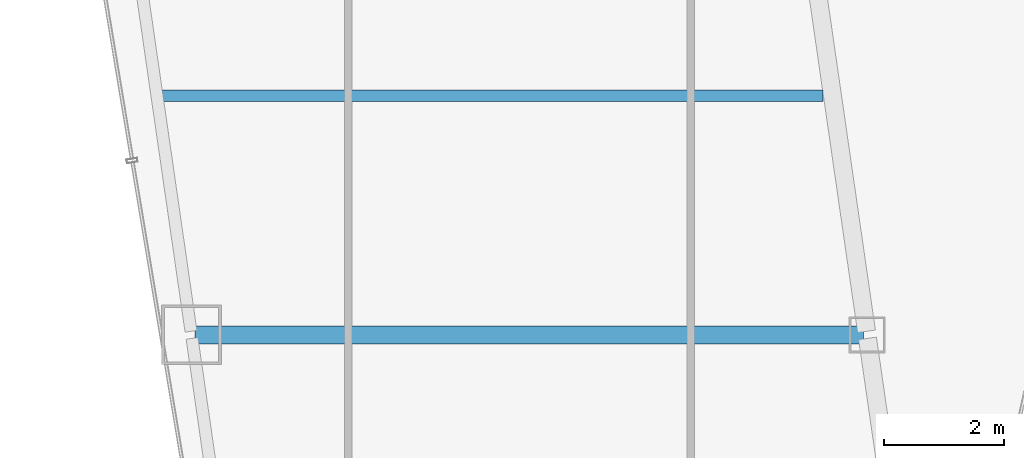
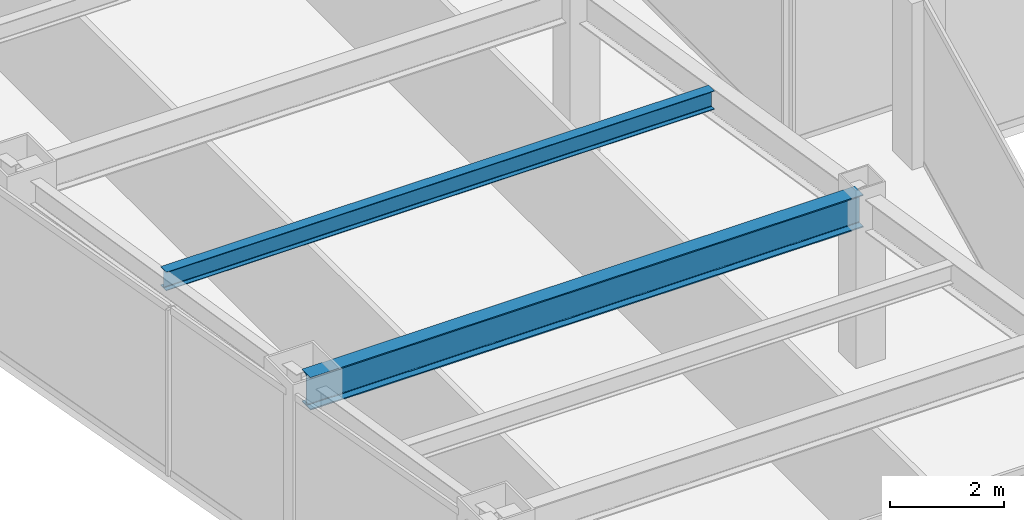
# One storey, part 5 of 40: 2 beams.
"""IFC4 building model written with IfcOpenShell, lengths in metres."""

from ifc_helpers import new_model, si_unit, direction, frame, origin, origin_2d, place, context, subcontext, project, spatial, i_section, extrude, material, material_profile, profile_set, type_object, element, save


model = new_model("IFC4")

# Units and contexts
model_context = context("Model", 3, precision=1e-05, world=origin(), true_north=direction((0.0, 1.0)))
body_context = subcontext(model_context, "Body", "Model", "MODEL_VIEW")
ifc_project = project(units=[si_unit("LENGTHUNIT", "METRE"), si_unit("AREAUNIT", "SQUARE_METRE"), si_unit("VOLUMEUNIT", "CUBIC_METRE"), si_unit("PLANEANGLEUNIT", "RADIAN"), si_unit("MASSUNIT", "GRAM", prefix="KILO")], contexts=[model_context])

# Site, building, storey
site_placement = place(None, origin())
site = spatial("IfcSite", under=ifc_project, at=site_placement, CompositionType="ELEMENT")
building_placement = place(site_placement, origin())
building = spatial("IfcBuilding", under=site, at=building_placement, Name="Saevonmaru Cultural Tower", CompositionType="ELEMENT")
storey_placement = place(building_placement, frame((0.0, 0.0, 129.60009765625)))
storey = spatial("IfcBuildingStorey", under=building, at=storey_placement, Name="L27", CompositionType="ELEMENT", Elevation=129.60009765625)

# Beams
ifc_material = material(Name="Steel SM355", Category="steel")
ifc_material_profile_1 = material_profile(ifc_material, i_section(OverallWidth=0.300048828125, OverallDepth=0.699951171875, WebThickness=0.012939453125, FlangeThickness=0.02392578125, FilletRadius=0.02587890625, at=origin_2d()), Name="H-700x300x13x24")
ifc_profile_set_1 = profile_set([ifc_material_profile_1], Name="Steel SM355")
beam_type_1 = type_object("IfcBeamType", Name="BM-G-H700", PredefinedType="BEAM", material=ifc_profile_set_1)
beam_1_placement = place(storey_placement, frame((10.68798828125, 16.0, 3.199951171875), z_axis=(1.0, 0.0, 0.0), x_axis=(0.0, 1.0, 0.0)))
element("IfcBeam", 1, at=beam_1_placement, inside=storey, type_object=beam_type_1, Name="L27 West Wing Transverse Girder 2", PredefinedType="BEAM", context=body_context, shape_type="SweptSolid", body=[
    extrude(i_section(OverallWidth=0.300048828125, OverallDepth=0.699951171875, WebThickness=0.012939453125, FlangeThickness=0.02392578125, FilletRadius=0.02587890625, at=origin_2d()), origin(), (0.0, 0.0, 1.0), 11.179931640625),
])
ifc_material_profile_2 = material_profile(ifc_material, i_section(OverallWidth=0.199951171875, OverallDepth=0.39990234375, WebThickness=0.008056640625, FlangeThickness=0.012939453125, FilletRadius=0.01611328125, at=origin_2d()), Name="H-400x200x8x13")
ifc_profile_set_2 = profile_set([ifc_material_profile_2], Name="Steel SM355")
beam_type_2 = type_object("IfcBeamType", Name="BM-J-H400", PredefinedType="JOIST", material=ifc_profile_set_2)
beam_2_placement = place(storey_placement, frame((10.110107421875, 20.0, 3.349853515625), z_axis=(1.0, 0.0, 0.0), x_axis=(0.0, 1.0, 0.0)))
element("IfcBeam", 2, at=beam_2_placement, inside=storey, type_object=beam_type_2, Name="L27 West Wing Floor Joist 2", PredefinedType="JOIST", context=body_context, shape_type="SweptSolid", body=[
    extrude(i_section(OverallWidth=0.199951171875, OverallDepth=0.39990234375, WebThickness=0.008056640625, FlangeThickness=0.012939453125, FilletRadius=0.01611328125, at=origin_2d()), origin(), (0.0, 0.0, 1.0), 11.081787109375),
])

save(model, "model.ifc")
